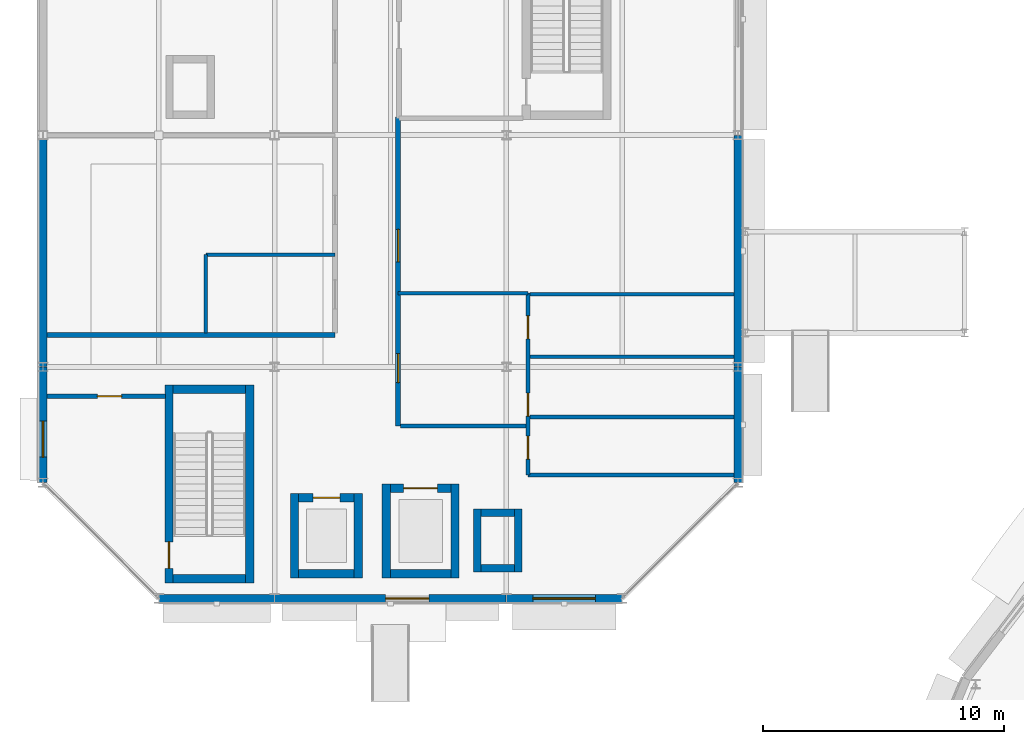
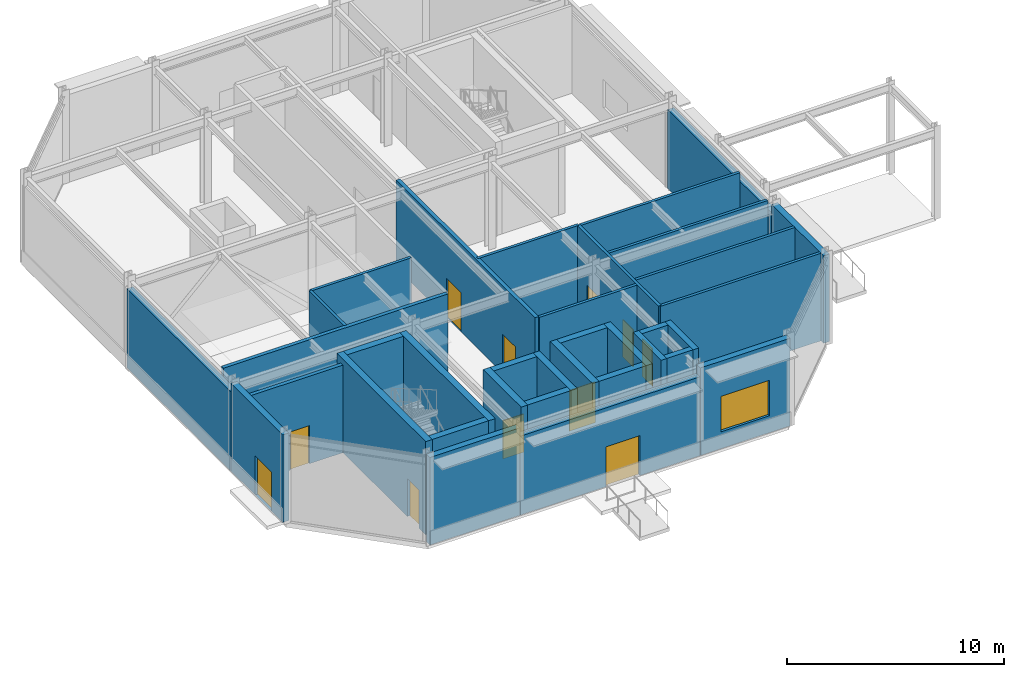
# One storey, part 122 of 168: 35 walls, 11 doors, 1 window, 12 openings.
"""IFC4 building model written with IfcOpenShell, lengths in metres."""

from ifc_helpers import new_model, si_unit, direction, frame, frame_2d, origin, place, context, subcontext, project, spatial, rectangle, extrude, material, layer, layer_set, type_object, element, fill, save


model = new_model("IFC4")

# Units and contexts
model_context = context("Model", 3, precision=1e-05, world=origin(), true_north=direction((0.0, 1.0)))
body_context = subcontext(model_context, "Body", "Model", "MODEL_VIEW")
ifc_project = project(units=[si_unit("LENGTHUNIT", "METRE"), si_unit("AREAUNIT", "SQUARE_METRE"), si_unit("VOLUMEUNIT", "CUBIC_METRE"), si_unit("PLANEANGLEUNIT", "RADIAN"), si_unit("MASSUNIT", "GRAM", prefix="KILO")], contexts=[model_context])

# Site, building, storey
site_placement = place(None, origin())
site = spatial("IfcSite", under=ifc_project, at=site_placement, CompositionType="ELEMENT")
building_placement = place(site_placement, origin())
building = spatial("IfcBuilding", under=site, at=building_placement, Name="Almandine Court Research Institute", CompositionType="ELEMENT")
storey_placement = place(building_placement, origin())
storey = spatial("IfcBuildingStorey", under=building, at=storey_placement, Name="L00", CompositionType="ELEMENT", Elevation=0.0)

# Wall, opening, door
ifc_material_1 = material(Name="Air-Sealed Cleanroom Envelope Wall")
ifc_layer_1 = layer(ifc_material_1, 0.324951171875)
ifc_layer_set_1 = layer_set([ifc_layer_1], Name="Air-Sealed Cleanroom Envelope Wall")
wall_type_1 = type_object("IfcWallType", Name="Wall-EXT-CR-325", PredefinedType="SOLIDWALL", material=ifc_layer_set_1)
wall_1_placement = place(storey_placement, frame((6.0, 88.803955078125, 0.0), z_axis=(0.0, 0.0, 1.0), x_axis=(0.0, 1.0, 0.0)))
wall_1 = element("IfcWall", 1, at=wall_1_placement, inside=storey, type_object=wall_type_1, Name="L00 Cleanroom West Wall 1", PredefinedType="SOLIDWALL", context=body_context, shape_type="SweptSolid", body=[
    extrude(rectangle(XDim=4.7919921875, YDim=0.324951171875, at=frame_2d((2.39599609375, 0.0))), origin(), (0.0, 0.0, 1.0), 4.929931640625),
])
opening_1_placement = place(wall_1_placement, frame((1.050048828125, 0.0, 0.0)))
opening_1 = element("IfcOpeningElement", 2, at=opening_1_placement, cuts=wall_1, Name="Opening EX-03", PredefinedType="OPENING", context=body_context, shape_type="SweptSolid", body=[
    extrude(rectangle(XDim=1.5, YDim=2.199951171875, at=frame_2d((0.75, 1.10009765625))), frame((0.0, 0.17236328125, 0.0), z_axis=(0.0, -1.0, 0.0), x_axis=(1.0, 0.0, 0.0)), (0.0, 0.0, 1.0), 0.344970703125),
])
ifc_material_2 = material(Name="Painted Steel Fire Exit Door", Category="steel")
door_type_1 = type_object("IfcDoorType", Name="Door-EX-1500", OperationType="DOUBLE_DOOR_SINGLE_SWING", PredefinedType="DOOR", material=ifc_material_2)
door_1_placement = place(opening_1_placement, origin())
door_1 = element("IfcDoor", 3, at=door_1_placement, inside=storey, type_object=door_type_1, Name="L00 ST-05 West Boulevard Protected Exit Door", OperationType="DOUBLE_DOOR_SINGLE_SWING", OverallHeight=2.199951171875, OverallWidth=1.5, PredefinedType="DOOR", context=body_context, shape_type="SweptSolid", body=[
    extrude(rectangle(XDim=1.5, YDim=2.199951171875, at=frame_2d((0.75, 1.10009765625))), frame((0.0, 0.02490234375, 0.0), z_axis=(0.0, -1.0, 0.0), x_axis=(1.0, 0.0, 0.0)), (0.0, 0.0, 1.0), 0.050048828125),
])
fill(opening_1, door_1)

# Walls
wall_2_placement = place(storey_placement, frame((6.0, 93.60400390625, 0.0), z_axis=(0.0, 0.0, 1.0), x_axis=(0.0, 1.0, 0.0)))
element("IfcWall", 4, at=wall_2_placement, inside=storey, type_object=wall_type_1, Name="L00 Cleanroom West Wall 2", PredefinedType="SOLIDWALL", context=body_context, shape_type="SweptSolid", body=[
    extrude(rectangle(XDim=9.592041015625, YDim=0.324951171875, at=frame_2d((4.7958984375, 0.0))), origin(), (0.0, 0.0, 1.0), 4.444091796875),
])
wall_3_placement = place(storey_placement, frame((34.800048828125, 93.595947265625, 0.0), z_axis=(0.0, 0.0, 1.0), x_axis=(0.0, -1.0, 0.0)))
element("IfcWall", 5, at=wall_3_placement, inside=storey, type_object=wall_type_1, Name="L00 Cleanroom East Wall 1", PredefinedType="SOLIDWALL", context=body_context, shape_type="SweptSolid", body=[
    extrude(rectangle(XDim=4.7919921875, YDim=0.324951171875, at=frame_2d((2.39599609375, 0.0))), origin(), (0.0, 0.0, 1.0), 4.929931640625),
])
wall_4_placement = place(storey_placement, frame((34.800048828125, 103.196044921875, 0.0), z_axis=(0.0, 0.0, 1.0), x_axis=(0.0, -1.0, 0.0)))
element("IfcWall", 6, at=wall_4_placement, inside=storey, type_object=wall_type_1, Name="L00 Cleanroom East Wall 2", PredefinedType="SOLIDWALL", context=body_context, shape_type="SweptSolid", body=[
    extrude(rectangle(XDim=9.592041015625, YDim=0.324951171875, at=frame_2d((4.7958984375, 0.0))), origin(), (0.0, 0.0, 1.0), 4.444091796875),
])

# Wall, opening, window
wall_5_placement = place(storey_placement, frame((29.99609375, 84.0, 0.0), z_axis=(0.0, 0.0, 1.0), x_axis=(-1.0, 0.0, 0.0)))
wall_5 = element("IfcWall", 7, at=wall_5_placement, inside=storey, type_object=wall_type_1, Name="L00 Cleanroom South Wall 1", PredefinedType="SOLIDWALL", context=body_context, shape_type="SweptSolid", body=[
    extrude(rectangle(XDim=4.7919921875, YDim=0.324951171875, at=frame_2d((2.39599609375, 0.0))), origin(), (0.0, 0.0, 1.0), 4.929931640625),
])
opening_2_placement = place(wall_5_placement, frame((1.10107421875, 0.0, 0.949951171875)))
opening_2 = element("IfcOpeningElement", 8, at=opening_2_placement, cuts=wall_5, Name="Opening WN-22", PredefinedType="OPENING", context=body_context, shape_type="SweptSolid", body=[
    extrude(rectangle(XDim=2.590087890625, YDim=2.0, at=frame_2d((1.294921875, 1.0))), frame((0.0, 0.17236328125, 0.0), z_axis=(0.0, -1.0, 0.0), x_axis=(1.0, 0.0, 0.0)), (0.0, 0.0, 1.0), 0.344970703125),
])
ifc_material_3 = material(Name="Thermally Broken Low-E Double-Glazed Window", Category="glass")
window_type = type_object("IfcWindowType", Name="Win-WN-22-2590x2000", PartitioningType="SINGLE_PANEL", PredefinedType="WINDOW", material=ifc_material_3)
window_placement = place(opening_2_placement, origin())
window = element("IfcWindow", 9, at=window_placement, inside=storey, type_object=window_type, Name="L00 Modular Recessed Low-E Window 36", OverallHeight=2.0, OverallWidth=2.590087890625, PartitioningType="SINGLE_PANEL", PredefinedType="WINDOW", context=body_context, shape_type="SweptSolid", body=[
    extrude(rectangle(XDim=2.590087890625, YDim=2.0, at=frame_2d((1.294921875, 1.0))), frame((0.0, 0.030029296875, 0.0), z_axis=(0.0, -1.0, 0.0), x_axis=(1.0, 0.0, 0.0)), (0.0, 0.0, 1.0), 0.06005859375),
])
fill(opening_2, window)

# Wall, opening, door
wall_6_placement = place(storey_placement, frame((25.196044921875, 84.0, 0.0), z_axis=(0.0, 0.0, 1.0), x_axis=(-1.0, 0.0, 0.0)))
wall_6 = element("IfcWall", 10, at=wall_6_placement, inside=storey, type_object=wall_type_1, Name="L00 Cleanroom South Wall 2", PredefinedType="SOLIDWALL", context=body_context, shape_type="SweptSolid", body=[
    extrude(rectangle(XDim=9.592041015625, YDim=0.324951171875, at=frame_2d((4.7958984375, 0.0))), origin(), (0.0, 0.0, 1.0), 4.444091796875),
])
opening_3_placement = place(wall_6_placement, frame((3.199951171875, 0.0, 0.0)))
opening_3 = element("IfcOpeningElement", 11, at=opening_3_placement, cuts=wall_6, Name="Opening EX-02", PredefinedType="OPENING", context=body_context, shape_type="SweptSolid", body=[
    extrude(rectangle(XDim=1.800048828125, YDim=2.25, at=frame_2d((0.89990234375, 1.125))), frame((0.0, 0.17236328125, 0.0), z_axis=(0.0, -1.0, 0.0), x_axis=(1.0, 0.0, 0.0)), (0.0, 0.0, 1.0), 0.344970703125),
])
ifc_material_4 = material(Name="Anodised Aluminium Exit Discharge Door", Category="aluminium")
door_type_2 = type_object("IfcDoorType", Name="Door-EX-1800", OperationType="DOUBLE_DOOR_SINGLE_SWING", PredefinedType="DOOR", material=ifc_material_4)
door_2_placement = place(opening_3_placement, origin())
door_2 = element("IfcDoor", 12, at=door_2_placement, inside=storey, type_object=door_type_2, Name="L00 Cleanroom South Main Exit Door", OperationType="DOUBLE_DOOR_SINGLE_SWING", OverallHeight=2.25, OverallWidth=1.800048828125, PredefinedType="DOOR", context=body_context, shape_type="SweptSolid", body=[
    extrude(rectangle(XDim=1.800048828125, YDim=2.25, at=frame_2d((0.89990234375, 1.125))), frame((0.0, 0.02490234375, 0.0), z_axis=(0.0, -1.0, 0.0), x_axis=(1.0, 0.0, 0.0)), (0.0, 0.0, 1.0), 0.050048828125),
])
fill(opening_3, door_2)

# Wall
wall_7_placement = place(storey_placement, frame((15.595947265625, 84.0, 0.0), z_axis=(0.0, 0.0, 1.0), x_axis=(-1.0, 0.0, 0.0)))
element("IfcWall", 13, at=wall_7_placement, inside=storey, type_object=wall_type_1, Name="L00 Cleanroom South Wall 3", PredefinedType="SOLIDWALL", context=body_context, shape_type="SweptSolid", body=[
    extrude(rectangle(XDim=4.7919921875, YDim=0.324951171875, at=frame_2d((2.39599609375, 0.0))), origin(), (0.0, 0.0, 1.0), 4.929931640625),
])

# Wall, opening, door
ifc_material_5 = material(Name="Two-Hour Fire-Barrier Enclosure Wall")
ifc_layer_2 = layer(ifc_material_5, 0.199951171875)
ifc_layer_set_2 = layer_set([ifc_layer_2], Name="Two-Hour Fire-Barrier Enclosure Wall")
wall_type_2 = type_object("IfcWallType", Name="Wall-FIRE-200", PredefinedType="SOLIDWALL", material=ifc_layer_set_2)
wall_8_placement = place(storey_placement, frame((6.159912109375, 92.3798828125, 0.0), z_axis=(0.0, 0.0, 1.0), x_axis=(1.0, 0.0, 0.0)))
wall_8 = element("IfcWall", 14, at=wall_8_placement, inside=storey, type_object=wall_type_2, Name="L00 Interior Partition W-EP-ST05-N", PredefinedType="SOLIDWALL", context=body_context, shape_type="SweptSolid", body=[
    extrude(rectangle(XDim=4.920166015625, YDim=0.199951171875, at=frame_2d((2.4599609375, 0.0))), origin(), (0.0, 0.0, 1.0), 4.929931640625),
])
opening_4_placement = place(wall_8_placement, frame((2.10009765625, 0.0, 0.0)))
opening_4 = element("IfcOpeningElement", 15, at=opening_4_placement, cuts=wall_8, Name="Opening FD-FCC", PredefinedType="OPENING", context=body_context, shape_type="SweptSolid", body=[
    extrude(rectangle(XDim=1.0, YDim=2.14990234375, at=frame_2d((0.5, 1.074951171875))), frame((0.0, 0.10986328125, 0.0), z_axis=(0.0, -1.0, 0.0), x_axis=(1.0, 0.0, 0.0)), (0.0, 0.0, 1.0), 0.219970703125),
])
ifc_material_6 = material(Name="Fire Command Centre Rated Steel Door", Category="steel")
door_type_3 = type_object("IfcDoorType", Name="Door-FD-FFL-1000", OperationType="NOTDEFINED", PredefinedType="DOOR", material=ifc_material_6)
door_3_placement = place(opening_4_placement, origin())
door_3 = element("IfcDoor", 16, at=door_3_placement, inside=storey, type_object=door_type_3, Name="L00 ST-05 Exit Lobby Fire Door", OperationType="SINGLE_SWING_LEFT", OverallHeight=2.14990234375, OverallWidth=1.0, PredefinedType="DOOR", context=body_context, shape_type="SweptSolid", body=[
    extrude(rectangle(XDim=1.0, YDim=2.14990234375, at=frame_2d((0.5, 1.074951171875))), frame((0.0, 0.02490234375, 0.0), z_axis=(0.0, -1.0, 0.0), x_axis=(1.0, 0.0, 0.0)), (0.0, 0.0, 1.0), 0.050048828125),
])
fill(opening_4, door_3)

# Wall
wall_9_placement = place(storey_placement, frame((6.159912109375, 94.919921875, 0.0), z_axis=(0.0, 0.0, 1.0), x_axis=(1.0, 0.0, 0.0)))
element("IfcWall", 17, at=wall_9_placement, inside=storey, type_object=wall_type_2, Name="L00 Interior Partition W-V3-L00-CSW", PredefinedType="SOLIDWALL", context=body_context, shape_type="SweptSolid", body=[
    extrude(rectangle(XDim=11.940185546875, YDim=0.199951171875, at=frame_2d((5.97021484375, 0.0))), origin(), (0.0, 0.0, 1.0), 4.929931640625),
])

# Wall, openings, doors
wall_10_placement = place(storey_placement, frame((20.719970703125, 91.14990234375, 0.0), z_axis=(0.0, 0.0, 1.0), x_axis=(0.0, 1.0, 0.0)))
wall_10 = element("IfcWall", 18, at=wall_10_placement, inside=storey, type_object=wall_type_2, Name="L00 Interior Partition W-V3-L00-CE", PredefinedType="SOLIDWALL", context=body_context, shape_type="SweptSolid", body=[
    extrude(rectangle(XDim=12.800048828125, YDim=0.199951171875, at=frame_2d((6.39990234375, 0.0))), origin(), (0.0, 0.0, 1.0), 4.929931640625),
])
opening_5_placement = place(wall_10_placement, frame((1.800048828125, 0.0, 0.0)))
opening_5 = element("IfcOpeningElement", 19, at=opening_5_placement, cuts=wall_10, Name="Opening FD-LAB", PredefinedType="OPENING", context=body_context, shape_type="SweptSolid", body=[
    extrude(rectangle(XDim=1.199951171875, YDim=2.199951171875, at=frame_2d((0.60009765625, 1.10009765625))), frame((0.0, 0.10986328125, 0.0), z_axis=(0.0, -1.0, 0.0), x_axis=(1.0, 0.0, 0.0)), (0.0, 0.0, 1.0), 0.219970703125),
])
opening_6_placement = place(wall_10_placement, frame((6.800048828125, 0.0, 0.0)))
opening_6 = element("IfcOpeningElement", 20, at=opening_6_placement, cuts=wall_10, Name="Opening FD-LB2", PredefinedType="OPENING", context=body_context, shape_type="SweptSolid", body=[
    extrude(rectangle(XDim=1.35009765625, YDim=2.199951171875, at=frame_2d((0.675048828125, 1.10009765625))), frame((0.0, 0.10986328125, 0.0), z_axis=(0.0, -1.0, 0.0), x_axis=(1.0, 0.0, 0.0)), (0.0, 0.0, 1.0), 0.219970703125),
])
ifc_material_7 = material(Name="Fire-Rated Laboratory Containment Door")
door_type_4 = type_object("IfcDoorType", Name="Door-FD-LAB-1200", OperationType="NOTDEFINED", PredefinedType="DOOR", material=ifc_material_7)
door_4_placement = place(opening_5_placement, origin())
door_4 = element("IfcDoor", 21, at=door_4_placement, inside=storey, type_object=door_type_4, Name="L00 Sub-Fab Door", OperationType="SINGLE_SWING_LEFT", OverallHeight=2.199951171875, OverallWidth=1.199951171875, PredefinedType="DOOR", context=body_context, shape_type="SweptSolid", body=[
    extrude(rectangle(XDim=1.199951171875, YDim=2.199951171875, at=frame_2d((0.60009765625, 1.10009765625))), frame((0.0, 0.02490234375, 0.0), z_axis=(0.0, -1.0, 0.0), x_axis=(1.0, 0.0, 0.0)), (0.0, 0.0, 1.0), 0.050048828125),
])
fill(opening_5, door_4)
ifc_material_8 = material(Name="Wide Fire-Rated Cleanroom and Lab Door")
door_type_5 = type_object("IfcDoorType", Name="Door-FD-LAB-1350", OperationType="NOTDEFINED", PredefinedType="DOOR", material=ifc_material_8)
door_5_placement = place(opening_6_placement, origin())
door_5 = element("IfcDoor", 22, at=door_5_placement, inside=storey, type_object=door_type_5, Name="L00 ISO 7 Clean Room Door", OperationType="SINGLE_SWING_RIGHT", OverallHeight=2.199951171875, OverallWidth=1.35009765625, PredefinedType="DOOR", context=body_context, shape_type="SweptSolid", body=[
    extrude(rectangle(XDim=1.35009765625, YDim=2.199951171875, at=frame_2d((0.675048828125, 1.10009765625))), frame((0.0, 0.02490234375, 0.0), z_axis=(0.0, -1.0, 0.0), x_axis=(1.0, 0.0, 0.0)), (0.0, 0.0, 1.0), 0.050048828125),
])
fill(opening_6, door_5)

# Walls
ifc_material_9 = material(Name="Acoustic Steel-Stud Gypsum Partition Wall", Category="steel")
ifc_layer_3 = layer(ifc_material_9, 0.14990234375)
ifc_layer_set_3 = layer_set([ifc_layer_3], Name="Acoustic Steel-Stud Gypsum Partition Wall")
wall_type_3 = type_object("IfcWallType", Name="Wall-PART-150", PredefinedType="PARTITIONING", material=ifc_layer_set_3)
for number, where, z_axis, x_axis, name in (
    (23, (26.179931640625, 91.52001953125, 0.0), (0.0, 0.0, 1.0), (1.0, 0.0, 0.0), "L00 Interior Partition W-V3-L00-WCH-1"),
    (24, (26.179931640625, 94.02001953125, 0.0), (0.0, 0.0, 1.0), (1.0, 0.0, 0.0), "L00 Interior Partition W-V3-L00-WCH-2"),
    (25, (26.179931640625, 96.60009765625, 0.0), (0.0, 0.0, 1.0), (1.0, 0.0, 0.0), "L00 Interior Partition W-V3-L00-WCH-3"),
):
    element("IfcWall", number, at=place(storey_placement, frame(where, z_axis=z_axis, x_axis=x_axis)), inside=storey, type_object=wall_type_3, Name=name, PredefinedType="PARTITIONING", context=body_context, shape_type="SweptSolid", body=[
        extrude(rectangle(XDim=8.4599609375, YDim=0.14990234375, at=frame_2d((4.22998046875, 0.0))), origin(), (0.0, 0.0, 1.0), 4.929931640625),
    ])
wall_11_placement = place(storey_placement, frame((26.10009765625, 89.1201171875, 0.0), z_axis=(0.0, 0.0, 1.0), x_axis=(1.0, 0.0, 0.0)))
element("IfcWall", 26, at=wall_11_placement, inside=storey, type_object=wall_type_3, Name="L00 Interior Partition W-V3-L00-WCS", PredefinedType="PARTITIONING", context=body_context, shape_type="SweptSolid", body=[
    extrude(rectangle(XDim=8.539794921875, YDim=0.14990234375, at=frame_2d((4.27001953125, 0.0))), origin(), (0.0, 0.0, 1.0), 4.929931640625),
])

# Wall, openings, doors
wall_12_placement = place(storey_placement, frame((26.10009765625, 89.1201171875, 0.0), z_axis=(0.0, 0.0, 1.0), x_axis=(0.0, 1.0, 0.0)))
wall_12 = element("IfcWall", 27, at=wall_12_placement, inside=storey, type_object=wall_type_3, Name="L00 Interior Partition W-V3-L00-WC-ALL", PredefinedType="PARTITIONING", context=body_context, shape_type="SweptSolid", body=[
    extrude(rectangle(XDim=7.52978515625, YDim=0.14990234375, at=frame_2d((3.764892578125, 0.0))), origin(), (0.0, 0.0, 1.0), 4.929931640625),
])
opening_7_placement = place(wall_12_placement, frame((0.659912109375, 0.0, 0.0)))
opening_7 = element("IfcOpeningElement", 28, at=opening_7_placement, cuts=wall_12, Name="Opening D-01", PredefinedType="OPENING", context=body_context, shape_type="SweptSolid", body=[
    extrude(rectangle(XDim=0.949951171875, YDim=2.10009765625, at=frame_2d((0.47509765625, 1.050048828125))), frame((0.0, 0.0849609375, 0.0), z_axis=(0.0, -1.0, 0.0), x_axis=(1.0, 0.0, 0.0)), (0.0, 0.0, 1.0), 0.169921875),
])
opening_8_placement = place(wall_12_placement, frame((2.43994140625, 0.0, 0.0)))
opening_8 = element("IfcOpeningElement", 29, at=opening_8_placement, cuts=wall_12, Name="Opening D-01", PredefinedType="OPENING", context=body_context, shape_type="SweptSolid", body=[
    extrude(rectangle(XDim=0.949951171875, YDim=2.10009765625, at=frame_2d((0.47509765625, 1.050048828125))), frame((0.0, 0.0849609375, 0.0), z_axis=(0.0, -1.0, 0.0), x_axis=(1.0, 0.0, 0.0)), (0.0, 0.0, 1.0), 0.169921875),
])
opening_9_placement = place(wall_12_placement, frame((5.639892578125, 0.0, 0.0)))
opening_9 = element("IfcOpeningElement", 30, at=opening_9_placement, cuts=wall_12, Name="Opening D-01", PredefinedType="OPENING", context=body_context, shape_type="SweptSolid", body=[
    extrude(rectangle(XDim=0.949951171875, YDim=2.10009765625, at=frame_2d((0.47509765625, 1.050048828125))), frame((0.0, 0.0849609375, 0.0), z_axis=(0.0, -1.0, 0.0), x_axis=(1.0, 0.0, 0.0)), (0.0, 0.0, 1.0), 0.169921875),
])
ifc_material_10 = material(Name="Solid-Core Timber Acoustic Room Door", Category="wood")
door_type_6 = type_object("IfcDoorType", Name="Door-INT-950", OperationType="NOTDEFINED", PredefinedType="DOOR", material=ifc_material_10)
door_6_placement = place(opening_7_placement, origin())
door_6 = element("IfcDoor", 31, at=door_6_placement, inside=storey, type_object=door_type_6, Name="L00 V3 Male Toilet Door", OperationType="SINGLE_SWING_RIGHT", OverallHeight=2.10009765625, OverallWidth=0.949951171875, PredefinedType="DOOR", context=body_context, shape_type="SweptSolid", body=[
    extrude(rectangle(XDim=0.949951171875, YDim=2.10009765625, at=frame_2d((0.47509765625, 1.050048828125))), frame((0.0, 0.02490234375, 0.0), z_axis=(0.0, -1.0, 0.0), x_axis=(1.0, 0.0, 0.0)), (0.0, 0.0, 1.0), 0.050048828125),
])
fill(opening_7, door_6)
door_7_placement = place(opening_8_placement, origin())
door_7 = element("IfcDoor", 32, at=door_7_placement, inside=storey, type_object=door_type_6, Name="L00 V3 Female Toilet Door", OperationType="SINGLE_SWING_LEFT", OverallHeight=2.10009765625, OverallWidth=0.949951171875, PredefinedType="DOOR", context=body_context, shape_type="SweptSolid", body=[
    extrude(rectangle(XDim=0.949951171875, YDim=2.10009765625, at=frame_2d((0.47509765625, 1.050048828125))), frame((0.0, 0.02490234375, 0.0), z_axis=(0.0, -1.0, 0.0), x_axis=(1.0, 0.0, 0.0)), (0.0, 0.0, 1.0), 0.050048828125),
])
fill(opening_8, door_7)
door_8_placement = place(opening_9_placement, origin())
door_8 = element("IfcDoor", 33, at=door_8_placement, inside=storey, type_object=door_type_6, Name="L00 V3 Accessible WC Door", OperationType="SINGLE_SWING_RIGHT", OverallHeight=2.10009765625, OverallWidth=0.949951171875, PredefinedType="DOOR", context=body_context, shape_type="SweptSolid", body=[
    extrude(rectangle(XDim=0.949951171875, YDim=2.10009765625, at=frame_2d((0.47509765625, 1.050048828125))), frame((0.0, 0.02490234375, 0.0), z_axis=(0.0, -1.0, 0.0), x_axis=(1.0, 0.0, 0.0)), (0.0, 0.0, 1.0), 0.050048828125),
])
fill(opening_9, door_8)

# Walls
wall_13_placement = place(storey_placement, frame((12.75, 95.0, 0.0), z_axis=(0.0, 0.0, 1.0), x_axis=(0.0, 1.0, 0.0)))
element("IfcWall", 34, at=wall_13_placement, inside=storey, type_object=wall_type_3, Name="L00 Interior Partition W-V3-L00-GWN", PredefinedType="PARTITIONING", context=body_context, shape_type="SweptSolid", body=[
    extrude(rectangle(XDim=3.25, YDim=0.14990234375, at=frame_2d((1.625, 0.0))), origin(), (0.0, 0.0, 1.0), 4.929931640625),
])
wall_14_placement = place(storey_placement, frame((12.75, 98.25, 0.0), z_axis=(0.0, 0.0, 1.0), x_axis=(1.0, 0.0, 0.0)))
element("IfcWall", 35, at=wall_14_placement, inside=storey, type_object=wall_type_3, Name="L00 Interior Partition W-V3-L00-GWNN", PredefinedType="PARTITIONING", context=body_context, shape_type="SweptSolid", body=[
    extrude(rectangle(XDim=5.35009765625, YDim=0.14990234375, at=frame_2d((2.675048828125, 0.0))), origin(), (0.0, 0.0, 1.0), 4.929931640625),
])
wall_15_placement = place(storey_placement, frame((20.820068359375, 91.14990234375, 0.0), z_axis=(0.0, 0.0, 1.0), x_axis=(1.0, 0.0, 0.0)))
element("IfcWall", 36, at=wall_15_placement, inside=storey, type_object=wall_type_3, Name="L00 Interior Partition W-V3-L00-CES", PredefinedType="PARTITIONING", context=body_context, shape_type="SweptSolid", body=[
    extrude(rectangle(XDim=5.199951171875, YDim=0.14990234375, at=frame_2d((2.60009765625, 0.0))), origin(), (0.0, 0.0, 1.0), 4.929931640625),
])
wall_16_placement = place(storey_placement, frame((20.719970703125, 96.64990234375, 0.0), z_axis=(0.0, 0.0, 1.0), x_axis=(1.0, 0.0, 0.0)))
element("IfcWall", 37, at=wall_16_placement, inside=storey, type_object=wall_type_3, Name="L00 Interior Partition W-V3-L00-SUBN", PredefinedType="PARTITIONING", context=body_context, shape_type="SweptSolid", body=[
    extrude(rectangle(XDim=5.380126953125, YDim=0.14990234375, at=frame_2d((2.68994140625, 0.0))), origin(), (0.0, 0.0, 1.0), 4.929931640625),
])
ifc_material_11 = material(Name="Concrete C40/50", Category="concrete")
ifc_layer_4 = layer(ifc_material_11, 0.300048828125)
ifc_layer_set_4 = layer_set([ifc_layer_4], Name="Concrete C40/50")
wall_type_4 = type_object("IfcWallType", Name="Wall-SW-CORE-300", PredefinedType="SHEAR", material=ifc_layer_set_4)
wall_17_placement = place(storey_placement, frame((24.0, 85.10009765625, 0.0), z_axis=(0.0, 0.0, 1.0), x_axis=(0.0, 1.0, 0.0)))
element("IfcWall", 38, at=wall_17_placement, inside=storey, type_object=wall_type_4, Name="L00 MEP Riser RS-V3A W Shear Wall", PredefinedType="SHEAR", context=body_context, shape_type="SweptSolid", body=[
    extrude(rectangle(XDim=2.599853515625, YDim=0.300048828125, at=frame_2d((1.2998046875, 0.0))), origin(), (0.0, 0.0, 1.0), 5.070068359375),
])
wall_18_placement = place(storey_placement, frame((24.14990234375, 87.550048828125, 0.0), z_axis=(0.0, 0.0, 1.0), x_axis=(1.0, 0.0, 0.0)))
element("IfcWall", 39, at=wall_18_placement, inside=storey, type_object=wall_type_4, Name="L00 MEP Riser RS-V3A N Shear Wall", PredefinedType="SHEAR", context=body_context, shape_type="SweptSolid", body=[
    extrude(rectangle(XDim=1.400146484375, YDim=0.300048828125, at=frame_2d((0.7001953125, 0.0))), origin(), (0.0, 0.0, 1.0), 5.070068359375),
])
wall_19_placement = place(storey_placement, frame((25.699951171875, 87.699951171875, 0.0), z_axis=(0.0, 0.0, 1.0), x_axis=(0.0, -1.0, 0.0)))
element("IfcWall", 40, at=wall_19_placement, inside=storey, type_object=wall_type_4, Name="L00 MEP Riser RS-V3A E Shear Wall", PredefinedType="SHEAR", context=body_context, shape_type="SweptSolid", body=[
    extrude(rectangle(XDim=2.599853515625, YDim=0.300048828125, at=frame_2d((1.2998046875, 0.0))), origin(), (0.0, 0.0, 1.0), 5.070068359375),
])
wall_20_placement = place(storey_placement, frame((25.550048828125, 85.25, 0.0), z_axis=(0.0, 0.0, 1.0), x_axis=(-1.0, 0.0, 0.0)))
element("IfcWall", 41, at=wall_20_placement, inside=storey, type_object=wall_type_4, Name="L00 MEP Riser RS-V3A S Shear Wall", PredefinedType="SHEAR", context=body_context, shape_type="SweptSolid", body=[
    extrude(rectangle(XDim=1.400146484375, YDim=0.300048828125, at=frame_2d((0.7001953125, 0.0))), origin(), (0.0, 0.0, 1.0), 5.070068359375),
])

# Wall, opening, door
ifc_layer_5 = layer(ifc_material_11, 0.35009765625)
ifc_layer_set_5 = layer_set([ifc_layer_5], Name="Concrete C40/50")
wall_type_5 = type_object("IfcWallType", Name="Wall-SW-CORE-350", PredefinedType="SHEAR", material=ifc_layer_set_5)
wall_21_placement = place(storey_placement, frame((11.22509765625, 84.64990234375, 0.0), z_axis=(0.0, 0.0, 1.0), x_axis=(0.0, 1.0, 0.0)))
wall_21 = element("IfcWall", 42, at=wall_21_placement, inside=storey, type_object=wall_type_5, Name="L00 ST-05 W Shear Wall", PredefinedType="SHEAR", context=body_context, shape_type="SweptSolid", body=[
    extrude(rectangle(XDim=8.2001953125, YDim=0.35009765625, at=frame_2d((4.10009765625, 0.0))), origin(), (0.0, 0.0, 1.0), 5.25),
])
opening_10_placement = place(wall_21_placement, frame((0.60009765625, 0.0, 0.0)))
opening_10 = element("IfcOpeningElement", 43, at=opening_10_placement, cuts=wall_21, Name="Opening FD-STAIR", PredefinedType="OPENING", context=body_context, shape_type="SweptSolid", body=[
    extrude(rectangle(XDim=1.10009765625, YDim=2.14990234375, at=frame_2d((0.550048828125, 1.074951171875))), frame((0.0, 0.18505859375, 0.0), z_axis=(0.0, -1.0, 0.0), x_axis=(1.0, 0.0, 0.0)), (0.0, 0.0, 1.0), 0.3701171875),
])
ifc_material_12 = material(Name="Self-Closing Steel Exit Stair Fire Door", Category="steel")
door_type_7 = type_object("IfcDoorType", Name="Door-FD-STAIR-1100", OperationType="NOTDEFINED", PredefinedType="DOOR", material=ifc_material_12)
door_9_placement = place(opening_10_placement, origin())
door_9 = element("IfcDoor", 44, at=door_9_placement, inside=storey, type_object=door_type_7, Name="L00 Exit Stair ST-05 Fire Door", OperationType="SINGLE_SWING_RIGHT", OverallHeight=2.14990234375, OverallWidth=1.10009765625, PredefinedType="DOOR", context=body_context, shape_type="SweptSolid", body=[
    extrude(rectangle(XDim=1.10009765625, YDim=2.14990234375, at=frame_2d((0.550048828125, 1.074951171875))), frame((0.0, 0.02490234375, 0.0), z_axis=(0.0, -1.0, 0.0), x_axis=(1.0, 0.0, 0.0)), (0.0, 0.0, 1.0), 0.050048828125),
])
fill(opening_10, door_9)

# Walls
wall_22_placement = place(storey_placement, frame((11.39990234375, 92.675048828125, 0.0), z_axis=(0.0, 0.0, 1.0), x_axis=(1.0, 0.0, 0.0)))
element("IfcWall", 45, at=wall_22_placement, inside=storey, type_object=wall_type_5, Name="L00 ST-05 N Shear Wall", PredefinedType="SHEAR", context=body_context, shape_type="SweptSolid", body=[
    extrude(rectangle(XDim=3.0, YDim=0.35009765625, at=frame_2d((1.5, 0.0))), origin(), (0.0, 0.0, 1.0), 5.25),
])
wall_23_placement = place(storey_placement, frame((14.574951171875, 92.85009765625, 0.0), z_axis=(0.0, 0.0, 1.0), x_axis=(0.0, -1.0, 0.0)))
element("IfcWall", 46, at=wall_23_placement, inside=storey, type_object=wall_type_5, Name="L00 ST-05 E Shear Wall", PredefinedType="SHEAR", context=body_context, shape_type="SweptSolid", body=[
    extrude(rectangle(XDim=8.2001953125, YDim=0.35009765625, at=frame_2d((4.10009765625, 0.0))), origin(), (0.0, 0.0, 1.0), 5.25),
])
wall_24_placement = place(storey_placement, frame((14.39990234375, 84.824951171875, 0.0), z_axis=(0.0, 0.0, 1.0), x_axis=(-1.0, 0.0, 0.0)))
element("IfcWall", 47, at=wall_24_placement, inside=storey, type_object=wall_type_5, Name="L00 ST-05 S Shear Wall", PredefinedType="SHEAR", context=body_context, shape_type="SweptSolid", body=[
    extrude(rectangle(XDim=3.0, YDim=0.35009765625, at=frame_2d((1.5, 0.0))), origin(), (0.0, 0.0, 1.0), 5.25),
])
wall_25_placement = place(storey_placement, frame((16.425048828125, 84.85009765625, 0.0), z_axis=(0.0, 0.0, 1.0), x_axis=(0.0, 1.0, 0.0)))
element("IfcWall", 48, at=wall_25_placement, inside=storey, type_object=wall_type_5, Name="L00 PL-02 Hoistway W Shear Wall", PredefinedType="SHEAR", context=body_context, shape_type="SweptSolid", body=[
    extrude(rectangle(XDim=3.5, YDim=0.35009765625, at=frame_2d((1.75, 0.0))), origin(), (0.0, 0.0, 1.0), 5.25),
])

# Wall, opening, door
wall_26_placement = place(storey_placement, frame((16.60009765625, 88.175048828125, 0.0), z_axis=(0.0, 0.0, 1.0), x_axis=(1.0, 0.0, 0.0)))
wall_26 = element("IfcWall", 49, at=wall_26_placement, inside=storey, type_object=wall_type_5, Name="L00 PL-02 Hoistway N Shear Wall", PredefinedType="SHEAR", context=body_context, shape_type="SweptSolid", body=[
    extrude(rectangle(XDim=2.2998046875, YDim=0.35009765625, at=frame_2d((1.14990234375, 0.0))), origin(), (0.0, 0.0, 1.0), 5.25),
])
opening_11_placement = place(wall_26_placement, frame((0.60009765625, 0.0, 0.0)))
opening_11 = element("IfcOpeningElement", 50, at=opening_11_placement, cuts=wall_26, Name="Opening LD-01", PredefinedType="OPENING", context=body_context, shape_type="SweptSolid", body=[
    extrude(rectangle(XDim=1.10009765625, YDim=2.14990234375, at=frame_2d((0.550048828125, 1.074951171875))), frame((0.0, 0.18505859375, 0.0), z_axis=(0.0, -1.0, 0.0), x_axis=(1.0, 0.0, 0.0)), (0.0, 0.0, 1.0), 0.3701171875),
])
ifc_material_13 = material(Name="Stainless Steel Lift Landing Sliding Door", Category="steel")
door_type_8 = type_object("IfcDoorType", Name="Door-LD-PASS-1100", OperationType="SLIDING_TO_LEFT", PredefinedType="USERDEFINED", material=ifc_material_13)
door_10_placement = place(opening_11_placement, origin())
door_10 = element("IfcDoor", 51, at=door_10_placement, inside=storey, type_object=door_type_8, Name="L00 Cleanroom Pavilion Passenger Lift PL-02 Sliding Landing Door", ObjectType="LANDING DOOR", OperationType="SLIDING_TO_LEFT", OverallHeight=2.14990234375, OverallWidth=1.10009765625, PredefinedType="USERDEFINED", context=body_context, shape_type="SweptSolid", body=[
    extrude(rectangle(XDim=1.10009765625, YDim=2.14990234375, at=frame_2d((0.550048828125, 1.074951171875))), frame((0.0, 0.02490234375, 0.0), z_axis=(0.0, -1.0, 0.0), x_axis=(1.0, 0.0, 0.0)), (0.0, 0.0, 1.0), 0.050048828125),
])
fill(opening_11, door_10)

# Walls
wall_27_placement = place(storey_placement, frame((19.074951171875, 88.35009765625, 0.0), z_axis=(0.0, 0.0, 1.0), x_axis=(0.0, -1.0, 0.0)))
element("IfcWall", 52, at=wall_27_placement, inside=storey, type_object=wall_type_5, Name="L00 PL-02 Hoistway E Shear Wall", PredefinedType="SHEAR", context=body_context, shape_type="SweptSolid", body=[
    extrude(rectangle(XDim=3.5, YDim=0.35009765625, at=frame_2d((1.75, 0.0))), origin(), (0.0, 0.0, 1.0), 5.25),
])
wall_28_placement = place(storey_placement, frame((18.89990234375, 85.02490234375, 0.0), z_axis=(0.0, 0.0, 1.0), x_axis=(-1.0, 0.0, 0.0)))
element("IfcWall", 53, at=wall_28_placement, inside=storey, type_object=wall_type_5, Name="L00 PL-02 Hoistway S Shear Wall", PredefinedType="SHEAR", context=body_context, shape_type="SweptSolid", body=[
    extrude(rectangle(XDim=2.2998046875, YDim=0.35009765625, at=frame_2d((1.14990234375, 0.0))), origin(), (0.0, 0.0, 1.0), 5.25),
])
wall_29_placement = place(storey_placement, frame((20.22509765625, 84.85009765625, 0.0), z_axis=(0.0, 0.0, 1.0), x_axis=(0.0, 1.0, 0.0)))
element("IfcWall", 54, at=wall_29_placement, inside=storey, type_object=wall_type_5, Name="L00 GL-02 Hoistway W Shear Wall", PredefinedType="SHEAR", context=body_context, shape_type="SweptSolid", body=[
    extrude(rectangle(XDim=3.89990234375, YDim=0.35009765625, at=frame_2d((1.949951171875, 0.0))), origin(), (0.0, 0.0, 1.0), 5.25),
])

# Wall, opening, door
wall_30_placement = place(storey_placement, frame((20.39990234375, 88.574951171875, 0.0), z_axis=(0.0, 0.0, 1.0), x_axis=(1.0, 0.0, 0.0)))
wall_30 = element("IfcWall", 55, at=wall_30_placement, inside=storey, type_object=wall_type_5, Name="L00 GL-02 Hoistway N Shear Wall", PredefinedType="SHEAR", context=body_context, shape_type="SweptSolid", body=[
    extrude(rectangle(XDim=2.5, YDim=0.35009765625, at=frame_2d((1.25, 0.0))), origin(), (0.0, 0.0, 1.0), 5.25),
])
opening_12_placement = place(wall_30_placement, frame((0.550048828125, 0.0, 0.0)))
opening_12 = element("IfcOpeningElement", 56, at=opening_12_placement, cuts=wall_30, Name="Opening LD-03", PredefinedType="OPENING", context=body_context, shape_type="SweptSolid", body=[
    extrude(rectangle(XDim=1.39990234375, YDim=2.300048828125, at=frame_2d((0.699951171875, 1.14990234375))), frame((0.0, 0.18505859375, 0.0), z_axis=(0.0, -1.0, 0.0), x_axis=(1.0, 0.0, 0.0)), (0.0, 0.0, 1.0), 0.3701171875),
])
ifc_material_14 = material(Name="Heavy Goods Lift Landing Sliding Door")
door_type_9 = type_object("IfcDoorType", Name="Door-LD-GOOD-1400", OperationType="SLIDING_TO_LEFT", PredefinedType="USERDEFINED", material=ifc_material_14)
door_11_placement = place(opening_12_placement, origin())
door_11 = element("IfcDoor", 57, at=door_11_placement, inside=storey, type_object=door_type_9, Name="L00 Cleanroom Equipment Goods Lift GL-02 Sliding Landing Door", ObjectType="LANDING DOOR", OperationType="SLIDING_TO_LEFT", OverallHeight=2.300048828125, OverallWidth=1.39990234375, PredefinedType="USERDEFINED", context=body_context, shape_type="SweptSolid", body=[
    extrude(rectangle(XDim=1.39990234375, YDim=2.300048828125, at=frame_2d((0.699951171875, 1.14990234375))), frame((0.0, 0.02490234375, 0.0), z_axis=(0.0, -1.0, 0.0), x_axis=(1.0, 0.0, 0.0)), (0.0, 0.0, 1.0), 0.050048828125),
])
fill(opening_12, door_11)

# Walls
wall_31_placement = place(storey_placement, frame((23.074951171875, 88.75, 0.0), z_axis=(0.0, 0.0, 1.0), x_axis=(0.0, -1.0, 0.0)))
element("IfcWall", 58, at=wall_31_placement, inside=storey, type_object=wall_type_5, Name="L00 GL-02 Hoistway E Shear Wall", PredefinedType="SHEAR", context=body_context, shape_type="SweptSolid", body=[
    extrude(rectangle(XDim=3.89990234375, YDim=0.35009765625, at=frame_2d((1.949951171875, 0.0))), origin(), (0.0, 0.0, 1.0), 5.25),
])
wall_32_placement = place(storey_placement, frame((22.89990234375, 85.02490234375, 0.0), z_axis=(0.0, 0.0, 1.0), x_axis=(-1.0, 0.0, 0.0)))
element("IfcWall", 59, at=wall_32_placement, inside=storey, type_object=wall_type_5, Name="L00 GL-02 Hoistway S Shear Wall", PredefinedType="SHEAR", context=body_context, shape_type="SweptSolid", body=[
    extrude(rectangle(XDim=2.5, YDim=0.35009765625, at=frame_2d((1.25, 0.0))), origin(), (0.0, 0.0, 1.0), 5.25),
])

save(model, "model.ifc")
